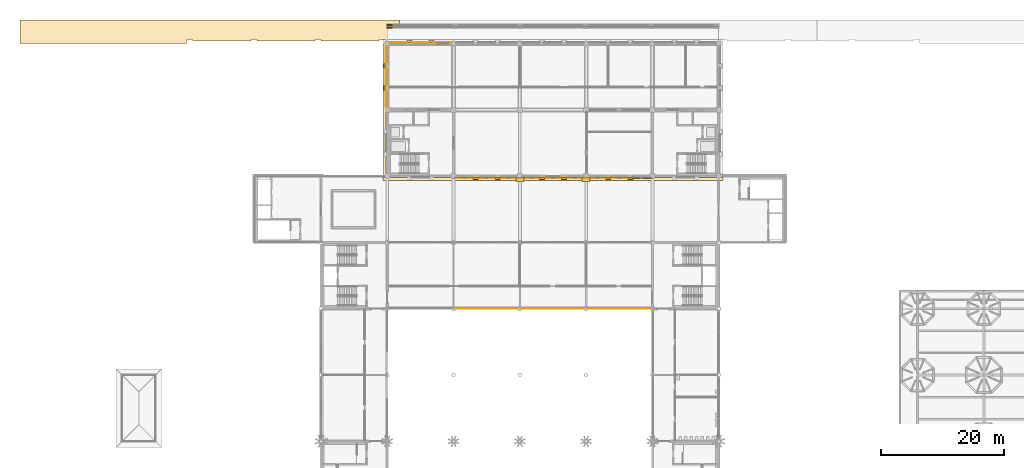
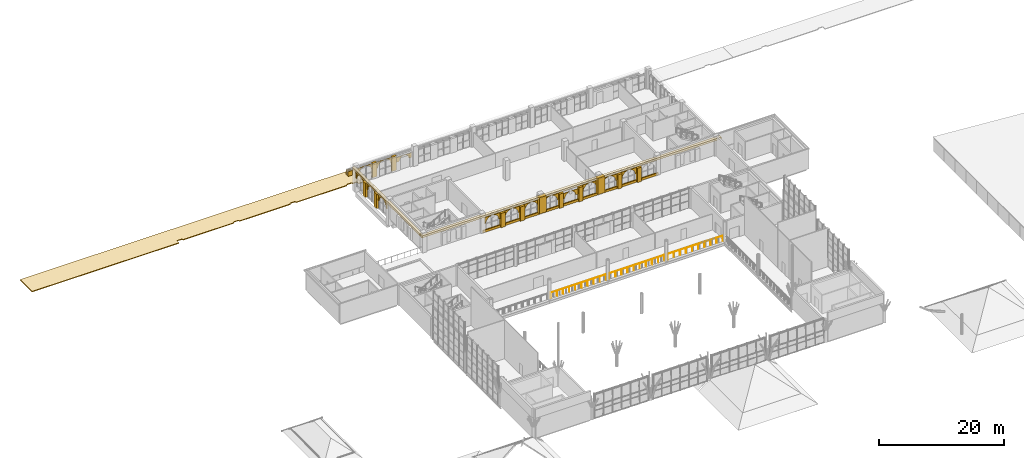
# One storey, part 89 of 95: 32 coverings, 3 railings.
"""IFC4 building model written with IfcOpenShell, lengths in metres."""

from ifc_helpers import new_model, si_unit, direction, frame, origin, origin_2d, place, context, subcontext, project, spatial, polyline, rectangle, circle, outline, extrude, material, layer, layer_set, type_object, element, save


model = new_model("IFC4")

# Units and contexts
model_context = context("Model", 3, precision=1e-05, world=origin(), true_north=direction((0.0, 1.0)))
body_context = subcontext(model_context, "Body", "Model", "MODEL_VIEW")
ifc_project = project(units=[si_unit("LENGTHUNIT", "METRE"), si_unit("AREAUNIT", "SQUARE_METRE"), si_unit("VOLUMEUNIT", "CUBIC_METRE"), si_unit("PLANEANGLEUNIT", "RADIAN"), si_unit("MASSUNIT", "GRAM", prefix="KILO")], contexts=[model_context])

# Site, building, storey
site_placement = place(None, origin())
site = spatial("IfcSite", under=ifc_project, at=site_placement, CompositionType="ELEMENT")
building_placement = place(site_placement, origin())
building = spatial("IfcBuilding", under=site, at=building_placement, Name="Magnolia Steps Interchange", CompositionType="ELEMENT")
storey_placement = place(building_placement, frame((0.0, 0.0, 4.800048828125)))
storey = spatial("IfcBuildingStorey", under=building, at=storey_placement, Name="L01", CompositionType="ELEMENT", Elevation=4.800048828125)

# Coverings
ifc_material_1 = material(Name="Lime render")
ifc_layer_1 = layer(ifc_material_1, 0.080078125)
ifc_layer_set_1 = layer_set([ifc_layer_1], Name="Lime render arch infill")
covering_type_1 = type_object("IfcCoveringType", Name="Lime render arch infill", PredefinedType="CLADDING", material=ifc_layer_set_1)
covering_1_placement = place(storey_placement, frame((64.60009765625, 118.175048828125, 1.579833984375), z_axis=(0.0, -1.0, 0.0), x_axis=(0.111727497739, 0.0, 0.993738882327)))
element("IfcCovering", 1, at=covering_1_placement, inside=storey, type_object=covering_type_1, Name="Arched head over opening g2", PredefinedType="CLADDING", context=body_context, shape_type="SweptSolid", body=[
    extrude(outline(polyline([(0.0, 0.0), (0.268772661, 0.0), (0.530748193, -0.059727135), (0.772847059, -0.176475415), (0.982820897, -0.344005898), (1.150413918, -0.55413586), (1.266823118, -0.79630813), (1.32674829, -1.058343317), (1.326478401, -1.326900644), (1.266778543, -1.589118788), (1.150002986, -1.830975041), (0.98249978, -2.041191492), (0.772342541, -2.208541901), (0.530197548, -2.325193713), (0.268135084, -2.384876273), (0.290475128, -2.583575527), (1.503050063, -2.447243976), (1.190207614, 0.335273417), (-0.022367321, 0.198941866), (0.0, 0.0)])), origin(), (0.0, 0.0, -1.0), 0.080078125),
])
covering_2_placement = place(storey_placement, frame((68.199951171875, 118.175048828125, 1.579833984375), z_axis=(0.0, -1.0, 0.0), x_axis=(0.111727497739, 0.0, 0.993738882327)))
element("IfcCovering", 2, at=covering_2_placement, inside=storey, type_object=covering_type_1, Name="Arched head over opening g4", PredefinedType="CLADDING", context=body_context, shape_type="SweptSolid", body=[
    extrude(outline(polyline([(0.0, 0.0), (0.268772661, 0.0), (0.530775471, -0.059969747), (0.772874336, -0.176718027), (0.982848175, -0.34424851), (1.150441195, -0.554378472), (1.266850396, -0.796550742), (1.32674829, -1.058343317), (1.326505678, -1.327143256), (1.266778543, -1.589118788), (1.150030263, -1.831217653), (0.98249978, -2.041191492), (0.772369818, -2.208784513), (0.530197548, -2.325193713), (0.268162361, -2.385118885), (0.290502405, -2.583818139), (1.50307734, -2.447486588), (1.190234891, 0.335030805), (-0.022340044, 0.198699254), (0.0, 0.0)])), origin(), (0.0, 0.0, -1.0), 0.080078125),
])
covering_3_placement = place(storey_placement, frame((72.10009765625, 118.175048828125, 1.47998046875), z_axis=(0.0, -1.0, 0.0), x_axis=(0.111495577518, 0.0, 0.993764930048)))
element("IfcCovering", 3, at=covering_3_placement, inside=storey, type_object=covering_type_1, Name="Arched head over doorway D00240", PredefinedType="CLADDING", context=body_context, shape_type="SweptSolid", body=[
    extrude(outline(polyline([(0.0, 0.0), (0.201451376, 0.0), (0.397882326, -0.045029973), (0.579422425, -0.132512248), (0.737008396, -0.258304558), (0.862545069, -0.41594497), (0.949984737, -0.597513473), (0.994626521, -0.793956258), (0.994626521, -0.995407634), (0.949596548, -1.191838585), (0.862114274, -1.373378683), (0.736321963, -1.530964654), (0.578681551, -1.656501327), (0.397113049, -1.743940995), (0.200670263, -1.788582779), (0.256418052, -2.285465244), (1.17060415, -2.182898024), (0.858438309, 0.599449686), (-0.055747789, 0.496882465), (0.0, 0.0)])), origin(), (0.0, 0.0, -1.0), 0.080078125),
])
covering_4_placement = place(storey_placement, frame((93.199951171875, 96.22509765625, 1.579833984375), z_axis=(0.0, 1.0, 0.0), x_axis=(0.0, 0.0, 1.0)))
element("IfcCovering", 4, at=covering_4_placement, inside=storey, type_object=covering_type_1, Name="Arched head over opening g10", PredefinedType="CLADDING", context=body_context, shape_type="SweptSolid", body=[
    extrude(outline(polyline([(0.0, 0.0), (1.220214844, 0.0), (1.220214844, 2.800048828), (0.0, 2.800048828), (0.0, 2.600097656), (0.267089844, 2.570068359), (0.520751953, 2.481201172), (0.748291016, 2.338134766), (0.938232422, 2.148193359), (1.081298828, 1.920654297), (1.169921875, 1.666992188), (1.200195312, 1.400146484), (1.169921875, 1.133056641), (1.081298828, 0.879394531), (0.938232422, 0.651855469), (0.748291016, 0.461914062), (0.520751953, 0.318847656), (0.267089844, 0.230224609), (0.0, 0.199951172), (0.0, 0.0)])), origin(), (0.0, 0.0, -1.0), 0.080078125),
])
covering_5_placement = place(storey_placement, frame((96.800048828125, 96.22509765625, 1.579833984375), z_axis=(0.0, 1.0, 0.0), x_axis=(0.0, 0.0, 1.0)))
element("IfcCovering", 5, at=covering_5_placement, inside=storey, type_object=covering_type_1, Name="Arched head over opening g12", PredefinedType="CLADDING", context=body_context, shape_type="SweptSolid", body=[
    extrude(outline(polyline([(0.0, 0.0), (1.220214844, 0.0), (1.220214844, 2.800048828), (0.0, 2.800048828), (0.0, 2.599853516), (0.267089844, 2.569824219), (0.520751953, 2.481201172), (0.748291016, 2.338134766), (0.938232422, 2.148193359), (1.081298828, 1.920654297), (1.169921875, 1.666992188), (1.200195312, 1.399902344), (1.169921875, 1.133056641), (1.081298828, 0.879150391), (0.938232422, 0.651855469), (0.748291016, 0.461669922), (0.520751953, 0.318847656), (0.267089844, 0.229980469), (0.0, 0.199951172), (0.0, 0.0)])), origin(), (0.0, 0.0, -1.0), 0.080078125),
])
covering_6_placement = place(storey_placement, frame((100.39990234375, 96.22509765625, 1.579833984375), z_axis=(0.0, 1.0, 0.0), x_axis=(0.0, 0.0, 1.0)))
element("IfcCovering", 6, at=covering_6_placement, inside=storey, type_object=covering_type_1, Name="Arched head over opening g14", PredefinedType="CLADDING", context=body_context, shape_type="SweptSolid", body=[
    extrude(outline(polyline([(0.0, 0.0), (1.220214844, 0.0), (1.220214844, 2.800048828), (0.0, 2.800048828), (0.0, 2.600097656), (0.267089844, 2.570068359), (0.520751953, 2.481201172), (0.748291016, 2.338378906), (0.938232422, 2.148193359), (1.081298828, 1.920898438), (1.169921875, 1.666992188), (1.200195312, 1.400146484), (1.169921875, 1.133056641), (1.081298828, 0.879394531), (0.938232422, 0.651855469), (0.748291016, 0.461914062), (0.520751953, 0.318847656), (0.267089844, 0.230224609), (0.0, 0.200195312), (0.0, 0.0)])), origin(), (0.0, 0.0, -1.0), 0.080078125),
])
covering_7_placement = place(storey_placement, frame((75.199951171875, 96.22509765625, 1.579833984375), z_axis=(0.0, 1.0, 0.0), x_axis=(0.0, 0.0, 1.0)))
element("IfcCovering", 7, at=covering_7_placement, inside=storey, type_object=covering_type_1, Name="Arched head over opening g2", PredefinedType="CLADDING", context=body_context, shape_type="SweptSolid", body=[
    extrude(outline(polyline([(0.0, 0.0), (1.220214844, 0.0), (1.220214844, 2.800048828), (0.0, 2.800048828), (0.0, 2.600097656), (0.267089844, 2.570068359), (0.520751953, 2.481201172), (0.748291016, 2.338134766), (0.938232422, 2.148193359), (1.081298828, 1.920654297), (1.169921875, 1.666992188), (1.200195312, 1.400146484), (1.169921875, 1.133056641), (1.081298828, 0.879394531), (0.938232422, 0.651855469), (0.748291016, 0.461914062), (0.520751953, 0.318847656), (0.267089844, 0.230224609), (0.0, 0.199951172), (0.0, 0.0)])), origin(), (0.0, 0.0, -1.0), 0.080078125),
])
covering_8_placement = place(storey_placement, frame((78.800048828125, 96.22509765625, 1.579833984375), z_axis=(0.0, 1.0, 0.0), x_axis=(0.0, 0.0, 1.0)))
element("IfcCovering", 8, at=covering_8_placement, inside=storey, type_object=covering_type_1, Name="Arched head over opening g4", PredefinedType="CLADDING", context=body_context, shape_type="SweptSolid", body=[
    extrude(outline(polyline([(0.0, 0.0), (1.220214844, 0.0), (1.220214844, 2.800048828), (0.0, 2.800048828), (0.0, 2.599853516), (0.267089844, 2.569824219), (0.520751953, 2.481201172), (0.748291016, 2.338134766), (0.938232422, 2.148193359), (1.081298828, 1.920654297), (1.169921875, 1.666992188), (1.200195312, 1.399902344), (1.169921875, 1.133056641), (1.081298828, 0.879150391), (0.938232422, 0.651855469), (0.748291016, 0.461669922), (0.520751953, 0.318847656), (0.267089844, 0.229980469), (0.0, 0.199951172), (0.0, 0.0)])), origin(), (0.0, 0.0, -1.0), 0.080078125),
])
covering_9_placement = place(storey_placement, frame((82.39990234375, 96.22509765625, 1.579833984375), z_axis=(0.0, 1.0, 0.0), x_axis=(0.0, 0.0, 1.0)))
element("IfcCovering", 9, at=covering_9_placement, inside=storey, type_object=covering_type_1, Name="Arched head over opening g6", PredefinedType="CLADDING", context=body_context, shape_type="SweptSolid", body=[
    extrude(outline(polyline([(0.0, 0.0), (1.220214844, 0.0), (1.220214844, 2.800048828), (0.0, 2.800048828), (0.0, 2.600097656), (0.267089844, 2.570068359), (0.520751953, 2.481201172), (0.748291016, 2.338378906), (0.938232422, 2.148193359), (1.081298828, 1.920898438), (1.169921875, 1.666992188), (1.200195312, 1.400146484), (1.169921875, 1.133056641), (1.081298828, 0.879394531), (0.938232422, 0.651855469), (0.748291016, 0.461914062), (0.520751953, 0.318847656), (0.267089844, 0.230224609), (0.0, 0.200195312), (0.0, 0.0)])), origin(), (0.0, 0.0, -1.0), 0.080078125),
])
covering_10_placement = place(storey_placement, frame((86.0, 96.22509765625, 1.579833984375), z_axis=(0.0, 1.0, 0.0), x_axis=(0.0, 0.0, 1.0)))
element("IfcCovering", 10, at=covering_10_placement, inside=storey, type_object=covering_type_1, Name="Arched head over opening g8", PredefinedType="CLADDING", context=body_context, shape_type="SweptSolid", body=[
    extrude(outline(polyline([(0.0, 0.0), (1.220214844, 0.0), (1.220214844, 2.800048828), (0.0, 2.800048828), (0.0, 2.600097656), (0.267089844, 2.569824219), (0.520751953, 2.481201172), (0.748291016, 2.338134766), (0.938232422, 2.148193359), (1.081298828, 1.920654297), (1.169921875, 1.666992188), (1.200195312, 1.399902344), (1.169921875, 1.133056641), (1.081298828, 0.879394531), (0.938232422, 0.651855469), (0.748291016, 0.461914062), (0.520751953, 0.318847656), (0.267089844, 0.229980469), (0.0, 0.199951172), (0.0, 0.0)])), origin(), (0.0, 0.0, -1.0), 0.080078125),
])
covering_11_placement = place(storey_placement, frame((89.60009765625, 96.22509765625, 1.3798828125), z_axis=(0.0, 1.0, 0.0), x_axis=(0.0, 0.0, 1.0)))
element("IfcCovering", 11, at=covering_11_placement, inside=storey, type_object=covering_type_1, Name="Arched head over doorway D00240", PredefinedType="CLADDING", context=body_context, shape_type="SweptSolid", body=[
    extrude(outline(polyline([(0.0, 0.0), (1.020019531, 0.0), (1.020019531, 2.799804688), (0.0, 2.799804688), (0.0, 2.399902344), (0.22265625, 2.374755859), (0.434082031, 2.30078125), (0.623535156, 2.181640625), (0.781982422, 2.0234375), (0.901123047, 1.833740234), (0.974853516, 1.622314453), (1.0, 1.399902344), (0.974853516, 1.177490234), (0.901123047, 0.966064453), (0.781982422, 0.776367188), (0.623535156, 0.618164062), (0.434082031, 0.499023438), (0.22265625, 0.425048828), (0.0, 0.399902344), (0.0, 0.0)])), origin(), (0.0, 0.0, -1.0), 0.080078125),
])
covering_12_placement = place(storey_placement, frame((63.824951171875, 107.800048828125, 1.579833984375), z_axis=(1.0, 0.0, 0.0), x_axis=(0.0, 0.111727497739, 0.993738882327)))
element("IfcCovering", 12, at=covering_12_placement, inside=storey, type_object=covering_type_1, Name="Arched head over opening g2", PredefinedType="CLADDING", context=body_context, shape_type="SweptSolid", body=[
    extrude(outline(polyline([(0.0, 0.0), (0.268772661, 0.0), (0.530748193, -0.059727135), (0.772847059, -0.176475415), (0.982820897, -0.344005898), (1.150413918, -0.55413586), (1.266823118, -0.79630813), (1.32674829, -1.058343317), (1.326505678, -1.327143256), (1.266778543, -1.589118788), (1.150030263, -1.831217653), (0.98249978, -2.041191492), (0.772369818, -2.208784513), (0.530197548, -2.325193713), (0.268135084, -2.384876273), (0.290475128, -2.583575527), (1.503050063, -2.447243976), (1.190234891, 0.335030805), (-0.022340044, 0.198699254), (0.0, 0.0)])), origin(), (0.0, 0.0, -1.0), 0.080078125),
])
covering_13_placement = place(storey_placement, frame((63.824951171875, 111.39990234375, 1.579833984375), z_axis=(1.0, 0.0, 0.0), x_axis=(0.0, 0.112624375469, 0.993637635182)))
element("IfcCovering", 13, at=covering_13_placement, inside=storey, type_object=covering_type_1, Name="Arched head over opening g4", PredefinedType="CLADDING", context=body_context, shape_type="SweptSolid", body=[
    extrude(outline(polyline([(0.0, 0.0), (0.268800048, 0.0), (0.530829382, -0.059490658), (0.773033522, -0.176020379), (0.983158484, -0.343361276), (1.150941095, -0.553339888), (1.267568826, -0.795406991), (1.32773048, -1.057387985), (1.327702983, -1.325945445), (1.268212325, -1.587974779), (1.151682605, -1.830178919), (0.984341707, -2.040303881), (0.774363096, -2.208086492), (0.532323489, -2.32495681), (0.270314999, -2.384875877), (0.292834375, -2.583554886), (1.505285766, -2.446128952), (1.189932016, 0.336104944), (-0.022519376, 0.19867901), (0.0, 0.0)])), origin(), (0.0, 0.0, -1.0), 0.080078125),
])
covering_14_placement = place(storey_placement, frame((63.824951171875, 115.0, 1.579833984375), z_axis=(1.0, 0.0, 0.0), x_axis=(0.0, 0.111727497739, 0.993738882327)))
element("IfcCovering", 14, at=covering_14_placement, inside=storey, type_object=covering_type_1, Name="Arched head over opening g6", PredefinedType="CLADDING", context=body_context, shape_type="SweptSolid", body=[
    extrude(outline(polyline([(0.0, 0.0), (0.268772661, 0.0), (0.530775471, -0.059969747), (0.772847059, -0.176475415), (0.982848175, -0.34424851), (1.150413918, -0.55413586), (1.266850396, -0.796550742), (1.32674829, -1.058343317), (1.326505678, -1.327143256), (1.266778543, -1.589118788), (1.150030263, -1.831217653), (0.98249978, -2.041191492), (0.772369818, -2.208784513), (0.530197548, -2.325193713), (0.268135084, -2.384876273), (0.290502405, -2.583818139), (1.50307734, -2.447486588), (1.190234891, 0.335030805), (-0.022340044, 0.198699254), (0.0, 0.0)])), origin(), (0.0, 0.0, -1.0), 0.080078125),
])
ifc_material_2 = material(Name="Lime render")
ifc_layer_2 = layer(ifc_material_2, 0.1201171875)
ifc_layer_set_2 = layer_set([ifc_layer_2], Name="Lime render band")
covering_type_2 = type_object("IfcCoveringType", Name="Lime render band", PredefinedType="CLADDING", material=ifc_layer_set_2)
covering_15_placement = place(storey_placement, frame((91.0, 95.97509765625, 3.199951171875), z_axis=(0.0, 0.0, 1.0), x_axis=(1.0, 0.0, 0.0)))
element("IfcCovering", 15, at=covering_15_placement, inside=storey, type_object=covering_type_2, Name="String course L01 S", PredefinedType="CLADDING", context=body_context, shape_type="SweptSolid", body=[
    extrude(rectangle(XDim=55.35009765625, YDim=0.5, at=origin_2d()), origin(), (0.0, 0.0, 1.0), 0.39990234375),
])
covering_16_placement = place(storey_placement, frame((63.574951171875, 107.199951171875, 3.199951171875), z_axis=(0.0, 0.0, 1.0), x_axis=(1.0, 0.0, 0.0)))
element("IfcCovering", 16, at=covering_16_placement, inside=storey, type_object=covering_type_2, Name="String course L01 W", PredefinedType="CLADDING", context=body_context, shape_type="SweptSolid", body=[
    extrude(rectangle(XDim=0.5, YDim=21.60009765625, at=origin_2d()), origin(), (0.0, 0.0, 1.0), 0.39990234375),
])
covering_17_placement = place(storey_placement, frame((91.0, 96.125, 0.0), z_axis=(0.0, 0.0, 1.0), x_axis=(1.0, 0.0, 0.0)))
element("IfcCovering", 17, at=covering_17_placement, inside=storey, type_object=covering_type_2, Name="Water table south", PredefinedType="CLADDING", context=body_context, shape_type="SweptSolid", body=[
    extrude(rectangle(XDim=32.39990234375, YDim=0.199951171875, at=origin_2d()), origin(), (0.0, 0.0, 1.0), 0.449951171875),
])
ifc_material_3 = material(Name="Lime render")
ifc_layer_3 = layer(ifc_material_3, 0.39990234375)
ifc_layer_set_3 = layer_set([ifc_layer_3], Name="Lime render pilaster")
covering_type_3 = type_object("IfcCoveringType", Name="Lime render pilaster", PredefinedType="CLADDING", material=ifc_layer_set_3)
for number, where, z_axis, x_axis, name in (
    (18, (78.39990234375, 96.02490234375, 0.0), (0.0, 0.0, 1.0), (1.0, 0.0, 0.0), "Pilaster L01 S 1"),
    (19, (82.0, 96.02490234375, 0.0), (0.0, 0.0, 1.0), (1.0, 0.0, 0.0), "Pilaster L01 S 2"),
    (20, (89.199951171875, 96.02490234375, 0.0), (0.0, 0.0, 1.0), (1.0, 0.0, 0.0), "Pilaster L01 S 3"),
    (21, (92.800048828125, 96.02490234375, 0.0), (0.0, 0.0, 1.0), (1.0, 0.0, 0.0), "Pilaster L01 S 4"),
    (22, (100.0, 96.02490234375, 0.0), (0.0, 0.0, 1.0), (1.0, 0.0, 0.0), "Pilaster L01 S 5"),
    (23, (103.60009765625, 96.02490234375, 0.0), (0.0, 0.0, 1.0), (1.0, 0.0, 0.0), "Pilaster L01 S 6"),
    (24, (67.60009765625, 118.375, 0.0), (0.0, 0.0, 1.0), (1.0, 0.0, 0.0), "Pilaster L01 N 1"),
    (25, (71.199951171875, 118.375, 0.0), (0.0, 0.0, 1.0), (1.0, 0.0, 0.0), "Pilaster L01 N 2"),
):
    element("IfcCovering", number, at=place(storey_placement, frame(where, z_axis=z_axis, x_axis=x_axis)), inside=storey, type_object=covering_type_3, Name=name, PredefinedType="CLADDING", context=body_context, shape_type="SweptSolid", body=[
        extrude(rectangle(XDim=0.800048828125, YDim=0.39990234375, at=origin_2d()), origin(), (0.0, 0.0, 1.0), 2.800048828125),
    ])
for number, where, z_axis, x_axis, name in (
    (26, (63.625, 110.800048828125, 0.0), (0.0, 0.0, 1.0), (1.0, 0.0, 0.0), "Pilaster L01 W 1"),
    (27, (63.625, 114.39990234375, 0.0), (0.0, 0.0, 1.0), (1.0, 0.0, 0.0), "Pilaster L01 W 2"),
):
    element("IfcCovering", number, at=place(storey_placement, frame(where, z_axis=z_axis, x_axis=x_axis)), inside=storey, type_object=covering_type_3, Name=name, PredefinedType="CLADDING", context=body_context, shape_type="SweptSolid", body=[
        extrude(rectangle(XDim=0.39990234375, YDim=0.800048828125, at=origin_2d()), origin(), (0.0, 0.0, 1.0), 2.800048828125),
    ])
for number, where, z_axis, x_axis, name in (
    (28, (64.39990234375, 121.06005859375, 0.0), (0.0, 0.0, 1.0), (1.0, 0.0, 0.0), "Boundary wall pier north street N1"),
    (29, (64.39990234375, 120.590087890625, 0.0), (0.0, 0.0, 1.0), (1.0, 0.0, 0.0), "Boundary wall pier north street S1"),
):
    element("IfcCovering", number, at=place(storey_placement, frame(where, z_axis=z_axis, x_axis=x_axis)), inside=storey, type_object=covering_type_3, Name=name, PredefinedType="CLADDING", context=body_context, shape_type="SweptSolid", body=[
        extrude(rectangle(XDim=0.800048828125, YDim=0.219970703125, at=origin_2d()), origin(), (0.0, 0.0, 1.0), 0.89990234375),
    ])
for number, where, z_axis, x_axis, name in (
    (30, (85.60009765625, 95.875, 0.449951171875), (0.0, 0.0, 1.0), (1.0, 0.0, 0.0), "Giant pilaster L01 1"),
    (31, (96.39990234375, 95.875, 0.449951171875), (0.0, 0.0, 1.0), (1.0, 0.0, 0.0), "Giant pilaster L01 2"),
):
    element("IfcCovering", number, at=place(storey_placement, frame(where, z_axis=z_axis, x_axis=x_axis)), inside=storey, type_object=covering_type_3, Name=name, PredefinedType="CLADDING", context=body_context, shape_type="SweptSolid", body=[
        extrude(rectangle(XDim=1.300048828125, YDim=0.699951171875, at=origin_2d()), origin(), (0.0, 0.0, 1.0), 3.14990234375),
    ])
ifc_material_4 = material(Name="Natural stone paving", Category="masonry")
ifc_layer_4 = layer(ifc_material_4, 0.14990234375)
ifc_layer_set_4 = layer_set([ifc_layer_4], Name="Stone paving 150")
covering_type_4 = type_object("IfcCoveringType", Name="Stone paving 150", PredefinedType="FLOORING", material=ifc_layer_set_4)
covering_18_placement = place(storey_placement, frame((0.0, 0.0, -0.150146484375)))
element("IfcCovering", 32, at=covering_18_placement, inside=storey, type_object=covering_type_4, Name="Street paving north west", PredefinedType="FLOORING", context=body_context, shape_type="SweptSolid", body=[
    extrude(outline(polyline([(4.14990234375, 121.85009765625), (66.0, 121.85009765625), (66.0, 118.0), (64.4990234375, 118.0), (64.5, 118.39990234375), (64.45556640625, 118.483154296875), (63.64990234375, 118.5), (63.642333984375, 118.63818359375), (63.559814453125, 118.699462890625), (62.75, 118.699951171875), (62.65771484375, 118.63818359375), (62.64990234375, 118.449951171875), (53.199951171875, 118.449951171875), (53.19580078125, 118.62890625), (53.12890625, 118.69580078125), (52.300048828125, 118.699951171875), (52.20751953125, 118.63818359375), (52.199951171875, 118.449951171875), (42.75, 118.449951171875), (42.74560546875, 118.62890625), (42.678955078125, 118.69580078125), (41.85009765625, 118.699951171875), (41.757568359375, 118.63818359375), (41.75, 118.449951171875), (32.300048828125, 118.449951171875), (32.295654296875, 118.62890625), (32.22900390625, 118.69580078125), (31.380615234375, 118.697998046875), (31.300537109375, 118.60986328125), (31.300048828125, 118.0), (4.14990234375, 118.0), (4.14990234375, 121.85009765625)])), origin(), (0.0, 0.0, 1.0), 0.150146484375),
])

# Railings
ifc_material_5 = material(Name="Stainless steel grade 304", Category="steel")
railing_type = type_object("IfcRailingType", Name="Void edge guard 1100", PredefinedType="GUARDRAIL", material=ifc_material_5)
railing_1_placement = place(storey_placement, frame((75.1171875, 74.8701171875, 0.0)))
element("IfcRailing", 33, at=railing_1_placement, inside=storey, type_object=railing_type, Name="L01 void edge guard HV 4", PredefinedType="GUARDRAIL", context=body_context, shape_type="SweptSolid", body=[
    extrude(circle(Radius=0.02392578125, at=origin_2d()), frame((0.0, 0.0, 1.076171875), z_axis=(1.0, 0.0, 0.0), x_axis=(0.0, 1.0, 0.0)), (0.0, 0.0, 1.0), 10.165771484375),
    extrude(circle(Radius=0.02099609375, at=origin_2d()), origin(), (0.0, 0.0, 1.0), 1.052001953125),
    extrude(circle(Radius=0.02099609375, at=origin_2d()), frame((1.129638671875, 0.0, 0.0)), (0.0, 0.0, 1.0), 1.052001953125),
    extrude(circle(Radius=0.02099609375, at=origin_2d()), frame((2.259033203125, 0.0, 0.0)), (0.0, 0.0, 1.0), 1.052001953125),
    extrude(circle(Radius=0.02099609375, at=origin_2d()), frame((3.388671875, 0.0, 0.0)), (0.0, 0.0, 1.0), 1.052001953125),
    extrude(circle(Radius=0.02099609375, at=origin_2d()), frame((4.51806640625, 0.0, 0.0)), (0.0, 0.0, 1.0), 1.052001953125),
    extrude(circle(Radius=0.02099609375, at=origin_2d()), frame((5.647705078125, 0.0, 0.0)), (0.0, 0.0, 1.0), 1.052001953125),
    extrude(circle(Radius=0.02099609375, at=origin_2d()), frame((6.777099609375, 0.0, 0.0)), (0.0, 0.0, 1.0), 1.052001953125),
    extrude(circle(Radius=0.02099609375, at=origin_2d()), frame((7.90673828125, 0.0, 0.0)), (0.0, 0.0, 1.0), 1.052001953125),
    extrude(circle(Radius=0.02099609375, at=origin_2d()), frame((9.0361328125, 0.0, 0.0)), (0.0, 0.0, 1.0), 1.052001953125),
    extrude(circle(Radius=0.02099609375, at=origin_2d()), frame((10.165771484375, 0.0, 0.0)), (0.0, 0.0, 1.0), 1.052001953125),
])
railing_2_placement = place(storey_placement, frame((85.917236328125, 74.8701171875, 0.0)))
element("IfcRailing", 34, at=railing_2_placement, inside=storey, type_object=railing_type, Name="L01 void edge guard HV 5", PredefinedType="GUARDRAIL", context=body_context, shape_type="SweptSolid", body=[
    extrude(circle(Radius=0.02392578125, at=origin_2d()), frame((0.0, 0.0, 1.076171875), z_axis=(1.0, 0.0, 0.0), x_axis=(0.0, 1.0, 0.0)), (0.0, 0.0, 1.0), 10.16552734375),
    extrude(circle(Radius=0.02099609375, at=origin_2d()), origin(), (0.0, 0.0, 1.0), 1.052001953125),
    extrude(circle(Radius=0.02099609375, at=origin_2d()), frame((1.12939453125, 0.0, 0.0)), (0.0, 0.0, 1.0), 1.052001953125),
    extrude(circle(Radius=0.02099609375, at=origin_2d()), frame((2.259033203125, 0.0, 0.0)), (0.0, 0.0, 1.0), 1.052001953125),
    extrude(circle(Radius=0.02099609375, at=origin_2d()), frame((3.388427734375, 0.0, 0.0)), (0.0, 0.0, 1.0), 1.052001953125),
    extrude(circle(Radius=0.02099609375, at=origin_2d()), frame((4.51806640625, 0.0, 0.0)), (0.0, 0.0, 1.0), 1.052001953125),
    extrude(circle(Radius=0.02099609375, at=origin_2d()), frame((5.6474609375, 0.0, 0.0)), (0.0, 0.0, 1.0), 1.052001953125),
    extrude(circle(Radius=0.02099609375, at=origin_2d()), frame((6.777099609375, 0.0, 0.0)), (0.0, 0.0, 1.0), 1.052001953125),
    extrude(circle(Radius=0.02099609375, at=origin_2d()), frame((7.906494140625, 0.0, 0.0)), (0.0, 0.0, 1.0), 1.052001953125),
    extrude(circle(Radius=0.02099609375, at=origin_2d()), frame((9.0361328125, 0.0, 0.0)), (0.0, 0.0, 1.0), 1.052001953125),
    extrude(circle(Radius=0.02099609375, at=origin_2d()), frame((10.16552734375, 0.0, 0.0)), (0.0, 0.0, 1.0), 1.052001953125),
])
railing_3_placement = place(storey_placement, frame((96.717041015625, 74.8701171875, 0.0)))
element("IfcRailing", 35, at=railing_3_placement, inside=storey, type_object=railing_type, Name="L01 void edge guard HV 6", PredefinedType="GUARDRAIL", context=body_context, shape_type="SweptSolid", body=[
    extrude(circle(Radius=0.02392578125, at=origin_2d()), frame((0.0, 0.0, 1.076171875), z_axis=(1.0, 0.0, 0.0), x_axis=(0.0, 1.0, 0.0)), (0.0, 0.0, 1.0), 10.165771484375),
    extrude(circle(Radius=0.02099609375, at=origin_2d()), origin(), (0.0, 0.0, 1.0), 1.052001953125),
    extrude(circle(Radius=0.02099609375, at=origin_2d()), frame((1.129638671875, 0.0, 0.0)), (0.0, 0.0, 1.0), 1.052001953125),
    extrude(circle(Radius=0.02099609375, at=origin_2d()), frame((2.259033203125, 0.0, 0.0)), (0.0, 0.0, 1.0), 1.052001953125),
    extrude(circle(Radius=0.02099609375, at=origin_2d()), frame((3.388671875, 0.0, 0.0)), (0.0, 0.0, 1.0), 1.052001953125),
    extrude(circle(Radius=0.02099609375, at=origin_2d()), frame((4.51806640625, 0.0, 0.0)), (0.0, 0.0, 1.0), 1.052001953125),
    extrude(circle(Radius=0.02099609375, at=origin_2d()), frame((5.647705078125, 0.0, 0.0)), (0.0, 0.0, 1.0), 1.052001953125),
    extrude(circle(Radius=0.02099609375, at=origin_2d()), frame((6.777099609375, 0.0, 0.0)), (0.0, 0.0, 1.0), 1.052001953125),
    extrude(circle(Radius=0.02099609375, at=origin_2d()), frame((7.90673828125, 0.0, 0.0)), (0.0, 0.0, 1.0), 1.052001953125),
    extrude(circle(Radius=0.02099609375, at=origin_2d()), frame((9.0361328125, 0.0, 0.0)), (0.0, 0.0, 1.0), 1.052001953125),
    extrude(circle(Radius=0.02099609375, at=origin_2d()), frame((10.165771484375, 0.0, 0.0)), (0.0, 0.0, 1.0), 1.052001953125),
])

save(model, "model.ifc")
